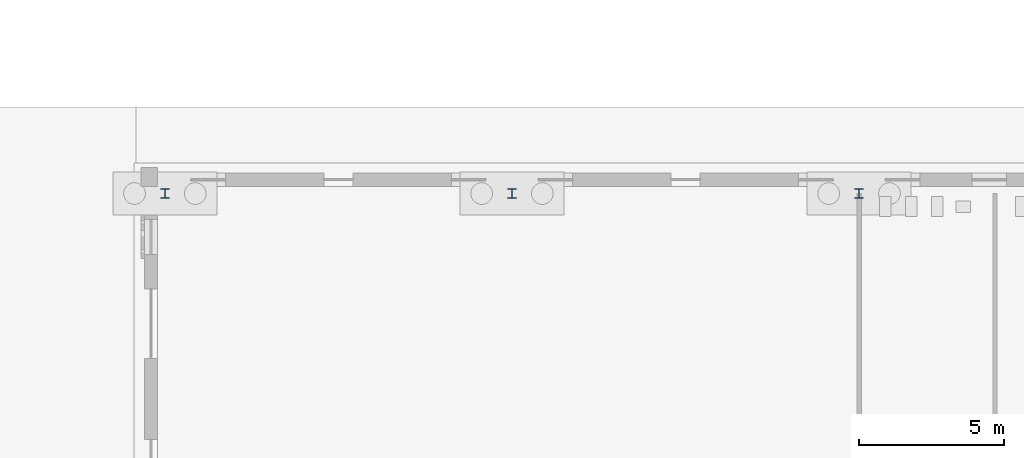
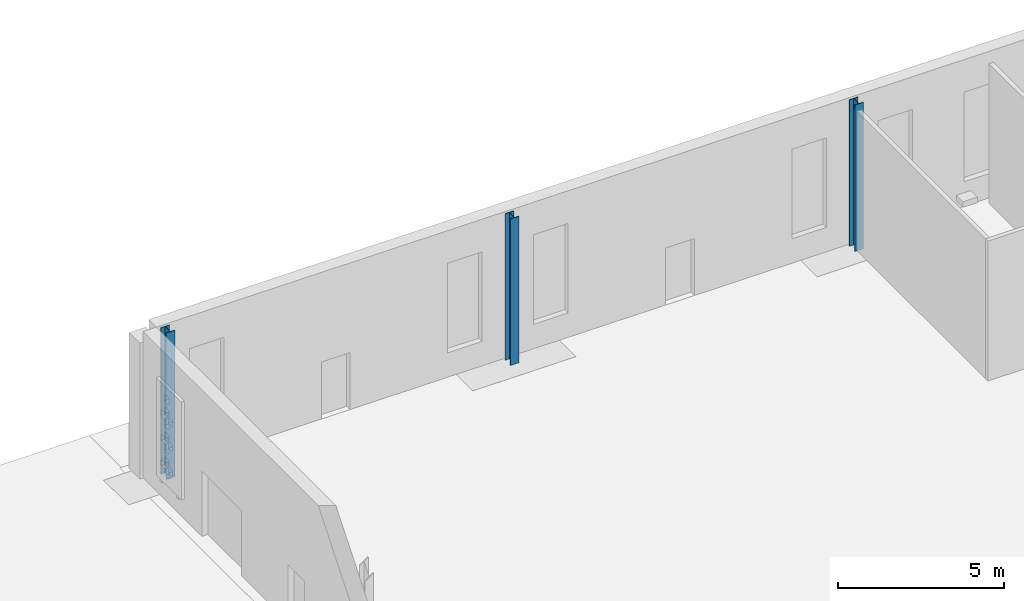
# One storey, part 46 of 132: 3 columns.
"""IFC4 building model written with IfcOpenShell, lengths in metres."""

import ifcopenshell
import ifcopenshell.guid

model = None  # the IFC model being written
_history = None  # IfcOwnerHistory: only IFC2X3 demands one
_inside = {}  # id of a spatial element -> (the spatial element, [elements in it])
_under = {}  # id of a project, library or spatial element -> (it, [spatial elements below it])
_declared = {}  # id of a project -> (the project, [libraries it declares])
_typed = {}  # id of a type object -> (the type object, [elements of that type])
_made_of = {}  # id of a material, layer set ... -> (it, [elements and type objects made of it])


def new_model(schema):
    """Start an empty IFC model of exactly this schema.

    Asked for "IFC4X3", IfcOpenShell would pick the latest addendum, in which some entities
    have other attributes; the version numbers below select the first issue.
    IFC2X3 requires an IfcOwnerHistory on every rooted entity: one is made here for all.
    """
    global model, _history
    if schema == "IFC4X3":
        model = ifcopenshell.file(schema_version=(4, 3, 0, 0))
    else:
        model = ifcopenshell.file(schema=schema)
    _inside.clear()
    _under.clear()
    _declared.clear()
    _typed.clear()
    _made_of.clear()
    _history = None
    if model.schema == "IFC2X3":
        org = make("IfcOrganization", Name="unknown")
        user = make(
            "IfcPersonAndOrganization",
            ThePerson=make("IfcPerson", FamilyName="unknown"),
            TheOrganization=org,
        )
        app = make(
            "IfcApplication",
            ApplicationDeveloper=org,
            Version="unknown",
            ApplicationFullName="unknown",
            ApplicationIdentifier="unknown",
        )
        _history = make(
            "IfcOwnerHistory",
            OwningUser=user,
            OwningApplication=app,
            ChangeAction="ADDED",
            CreationDate=0,
        )
    return model


def make(cls, **values):
    """One entity of the class cls with the attributes given. An attribute that is None is left unset."""
    return model.create_entity(
        cls, **{name: value for name, value in values.items() if value is not None}
    )


def rooted(cls, **values):
    """An entity with a GlobalId (a new one), such as an element, a storey or a relation."""
    return make(cls, GlobalId=ifcopenshell.guid.new(), OwnerHistory=_history, **values)


def si_unit(unit_type, name, prefix=None):
    """IfcSIUnit, for example si_unit("LENGTHUNIT", "METRE", prefix="MILLI")."""
    return make("IfcSIUnit", UnitType=unit_type, Prefix=prefix, Name=name)


def assignment(units):
    """IfcUnitAssignment: the units of a project."""
    return None if units is None else make("IfcUnitAssignment", Units=units)


def point(xyz):
    """IfcCartesianPoint."""
    return None if xyz is None else make("IfcCartesianPoint", Coordinates=xyz)


def direction(xyz):
    """IfcDirection."""
    return None if xyz is None else make("IfcDirection", DirectionRatios=xyz)


def frame(location, z_axis=None, x_axis=None):
    """IfcAxis2Placement3D, a coordinate frame: its origin and axes. An axis left out is left unset."""
    return make(
        "IfcAxis2Placement3D",
        Location=point(location),
        Axis=direction(z_axis),
        RefDirection=direction(x_axis),
    )


def frame_2d(location, x_axis=None):
    """IfcAxis2Placement2D, a coordinate frame in the plane: its origin and x axis."""
    return make(
        "IfcAxis2Placement2D", Location=point(location), RefDirection=direction(x_axis)
    )


def origin():
    """The frame at (0, 0, 0) with its axes left unset."""
    return frame((0.0, 0.0, 0.0))


def origin_2d():
    """The frame at (0, 0) in the plane with its x axis left unset."""
    return frame_2d((0.0, 0.0))


def place(relative_to, where):
    """IfcLocalPlacement: puts the frame where relative to a parent placement (None: the world)."""
    return make(
        "IfcLocalPlacement", PlacementRelTo=relative_to, RelativePlacement=where
    )


def context(
    kind, dimensions, precision=None, world=None, true_north=None, identifier=None
):
    """IfcGeometricRepresentationContext, for example the 3D "Model" context."""
    return make(
        "IfcGeometricRepresentationContext",
        ContextIdentifier=identifier,
        ContextType=kind,
        CoordinateSpaceDimension=dimensions,
        Precision=precision,
        WorldCoordinateSystem=world,
        TrueNorth=true_north,
    )


def subcontext(parent, identifier, kind, view, scale=None):
    """IfcGeometricRepresentationSubContext, for example "Body" below "Model"."""
    return make(
        "IfcGeometricRepresentationSubContext",
        ContextIdentifier=identifier,
        ContextType=kind,
        ParentContext=parent,
        TargetScale=scale,
        TargetView=view,
    )


def project(units=None, contexts=None):
    """IfcProject with its units and contexts."""
    return rooted(
        "IfcProject",
        Name="project",
        RepresentationContexts=contexts,
        UnitsInContext=assignment(units),
    )


def spatial(cls, under=None, at=None, **own):
    """A site, building, storey or space (cls), placed at a placement, below another one or the project."""
    s = rooted(cls, ObjectPlacement=at, **own)
    if under is not None:
        _under.setdefault(under.id(), (under, []))[1].append(s)
    return s


def profile(cls, at=None, kind="AREA", **sizes):
    """A parametric profile (cls). Its sizes go by their IFC names, for example OverallWidth=200.0."""
    return make(cls, ProfileType=kind, Position=at, **sizes)


def i_section(**sizes):
    """IfcIShapeProfileDef."""
    return profile("IfcIShapeProfileDef", **sizes)


def extrude(swept, where, along, depth):
    """IfcExtrudedAreaSolid: the profile swept, set in the frame where, extruded along a direction by depth."""
    return make(
        "IfcExtrudedAreaSolid",
        SweptArea=swept,
        Position=where,
        ExtrudedDirection=direction(along),
        Depth=depth,
    )


def shape(context_of_items, identifier, shape_type, items):
    """IfcShapeRepresentation: the items that make up one representation, for example the "Body"."""
    return make(
        "IfcShapeRepresentation",
        ContextOfItems=context_of_items,
        RepresentationIdentifier=identifier,
        RepresentationType=shape_type,
        Items=items,
    )


def material(Name=None, Category=None):
    """IfcMaterial."""
    return make("IfcMaterial", Name=Name, Category=Category)


def material_profile(
    of_material, cross_section, Name=None, Category=None, Priority=None
):
    """IfcMaterialProfile: a cross section and its material."""
    return make(
        "IfcMaterialProfile",
        Name=Name,
        Material=of_material,
        Profile=cross_section,
        Priority=Priority,
        Category=Category,
    )


def profile_set(profiles, Name=None, composite=None):
    """IfcMaterialProfileSet."""
    return make(
        "IfcMaterialProfileSet",
        Name=Name,
        MaterialProfiles=profiles,
        CompositeProfile=composite,
    )


def made_of(thing, what):
    """Note that an element or type object is made of a material, layer set ...; save() writes the relation."""
    if what is not None:
        _made_of.setdefault(what.id(), (what, []))[1].append(thing)
    return thing


def type_object(cls, material=None, **own):
    """A type object (cls), such as IfcWallType, which elements share."""
    return made_of(rooted(cls, **own), material)


def element(
    cls,
    number,
    at=None,
    inside=None,
    cuts=None,
    type_object=None,
    material=None,
    context=None,
    identifier="Body",
    shape_type=None,
    held_by="IfcProductDefinitionShape",
    body=None,
    shapes=None,
    **own,
):
    """One element of the class cls, such as IfcWall. Its Tag is "e" and its number.

    at: its placement. inside: the storey or other place that contains it. cuts: it is an
    opening in that element (IfcRelVoidsElement). A single representation is given by context,
    identifier, shape_type and body (its items); several are given by shapes. held_by: the class
    of the entity that holds the representations. save() writes the other relations.
    """
    e = rooted(cls, Tag="e%d" % number, ObjectPlacement=at, **own)
    if body is not None:
        shapes = [shape(context, identifier, shape_type, body)]
    if shapes is not None:
        e.Representation = make(held_by, Representations=shapes)
    if inside is not None:
        _inside.setdefault(inside.id(), (inside, []))[1].append(e)
    if cuts is not None:
        rooted(
            "IfcRelVoidsElement", RelatingBuildingElement=cuts, RelatedOpeningElement=e
        )
    if type_object is not None:
        _typed.setdefault(type_object.id(), (type_object, []))[1].append(e)
    return made_of(e, material)


def aggregate(whole, parts):
    """IfcRelAggregates: a whole, such as a stair, and the parts it consists of."""
    return rooted("IfcRelAggregates", RelatingObject=whole, RelatedObjects=parts)


def save(model, path):
    """Write the relations noted so far, then the file.

    IfcRelAggregates (storeys below a building ...), IfcRelContainedInSpatialStructure (elements
    in a storey), IfcRelDefinesByType, IfcRelAssociatesMaterial and IfcRelDeclares: one each for
    every whole, place, type object, material and project.
    """
    for whole, parts in _under.values():
        aggregate(whole, parts)
    for where, things in _inside.values():
        rooted(
            "IfcRelContainedInSpatialStructure",
            RelatedElements=things,
            RelatingStructure=where,
        )
    for kind, things in _typed.values():
        rooted("IfcRelDefinesByType", RelatedObjects=things, RelatingType=kind)
    for what, things in _made_of.values():
        rooted("IfcRelAssociatesMaterial", RelatedObjects=things, RelatingMaterial=what)
    for by, libraries in _declared.values():
        rooted("IfcRelDeclares", RelatingContext=by, RelatedDefinitions=libraries)
    model.write(path)


model = new_model("IFC4")

# Units and contexts
model_context = context("Model", 3, precision=1e-05, world=origin(), true_north=direction((0.0, 1.0)))
body_context = subcontext(model_context, "Body", "Model", "MODEL_VIEW")
ifc_project = project(units=[si_unit("LENGTHUNIT", "METRE"), si_unit("AREAUNIT", "SQUARE_METRE"), si_unit("VOLUMEUNIT", "CUBIC_METRE"), si_unit("PLANEANGLEUNIT", "RADIAN"), si_unit("MASSUNIT", "GRAM", prefix="KILO")], contexts=[model_context])

# Site, building, storey
site_placement = place(None, origin())
site = spatial("IfcSite", under=ifc_project, at=site_placement, CompositionType="ELEMENT")
building_placement = place(site_placement, origin())
building = spatial("IfcBuilding", under=site, at=building_placement, Name="Ravi Spectrum Wholesale Market", CompositionType="ELEMENT")
storey_placement = place(building_placement, origin())
storey = spatial("IfcBuildingStorey", under=building, at=storey_placement, Name="L00", CompositionType="ELEMENT", Elevation=0.0)

# Columns
ifc_material = material(Name="Steel S355", Category="steel")
ifc_material_profile = material_profile(ifc_material, i_section(OverallWidth=0.300048828125, OverallDepth=0.340087890625, WebThickness=0.011962890625, FlangeThickness=0.021484375, at=origin_2d()))
ifc_profile_set = profile_set([ifc_material_profile], Name="Steel S355")
column_type = type_object("IfcColumnType", Name="HEB 340 column", PredefinedType="COLUMN", material=ifc_profile_set)
for number, where, z_axis, x_axis, name in (
    (1, (162.0, 234.0, 0.0), (0.0, 0.0, 1.0), (1.0, 0.0, 0.0), "AU-COL-L00-004"),
    (2, (174.0, 234.0, 0.0), (0.0, 0.0, 1.0), (1.0, 0.0, 0.0), "AU-COL-L00-007"),
    (3, (186.0, 234.0, 0.0), (0.0, 0.0, 1.0), (1.0, 0.0, 0.0), "AU-COL-L00-010"),
):
    element("IfcColumn", number, at=place(storey_placement, frame(where, z_axis=z_axis, x_axis=x_axis)), inside=storey, type_object=column_type, Name=name, PredefinedType="COLUMN", context=body_context, shape_type="SweptSolid", body=[
        extrude(i_section(OverallWidth=0.300048828125, OverallDepth=0.340087890625, WebThickness=0.011962890625, FlangeThickness=0.021484375, at=origin_2d()), origin(), (0.0, 0.0, 1.0), 5.39990234375),
    ])

save(model, "model.ifc")
